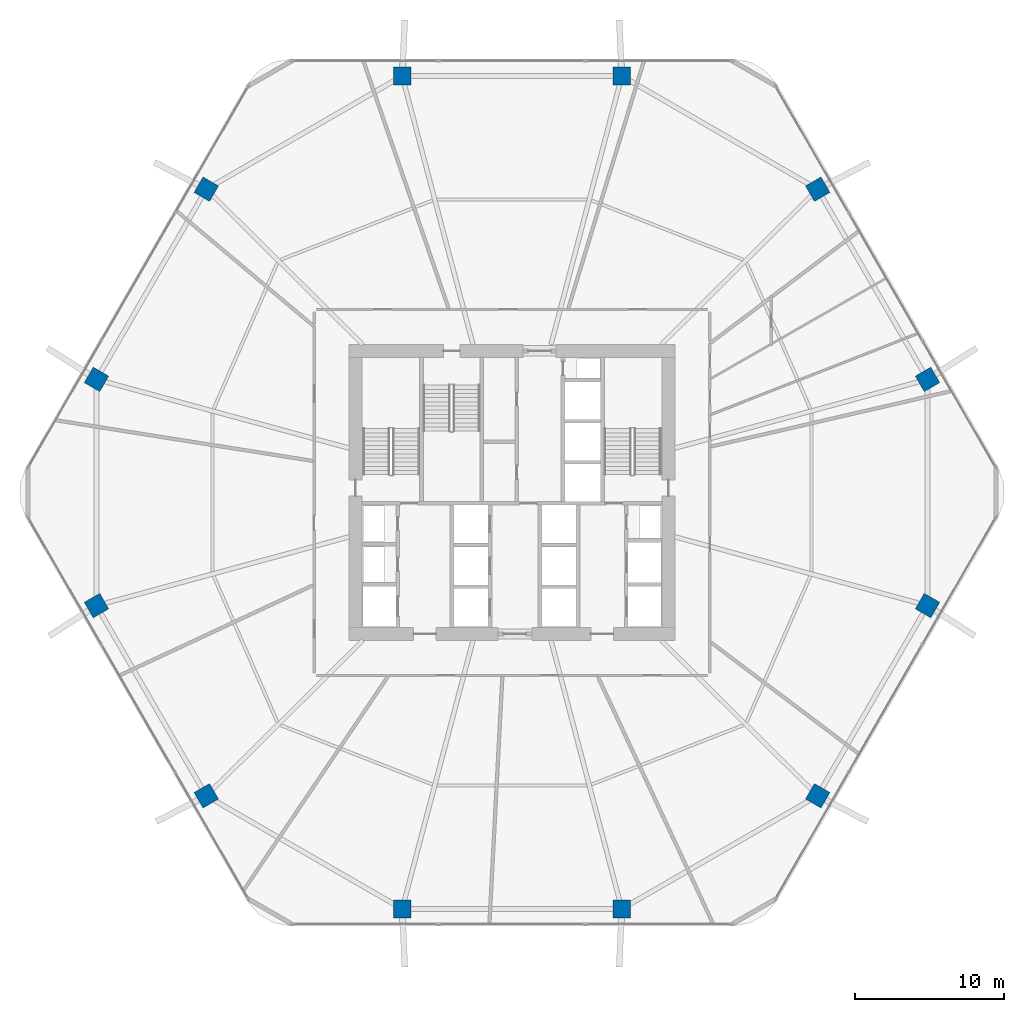
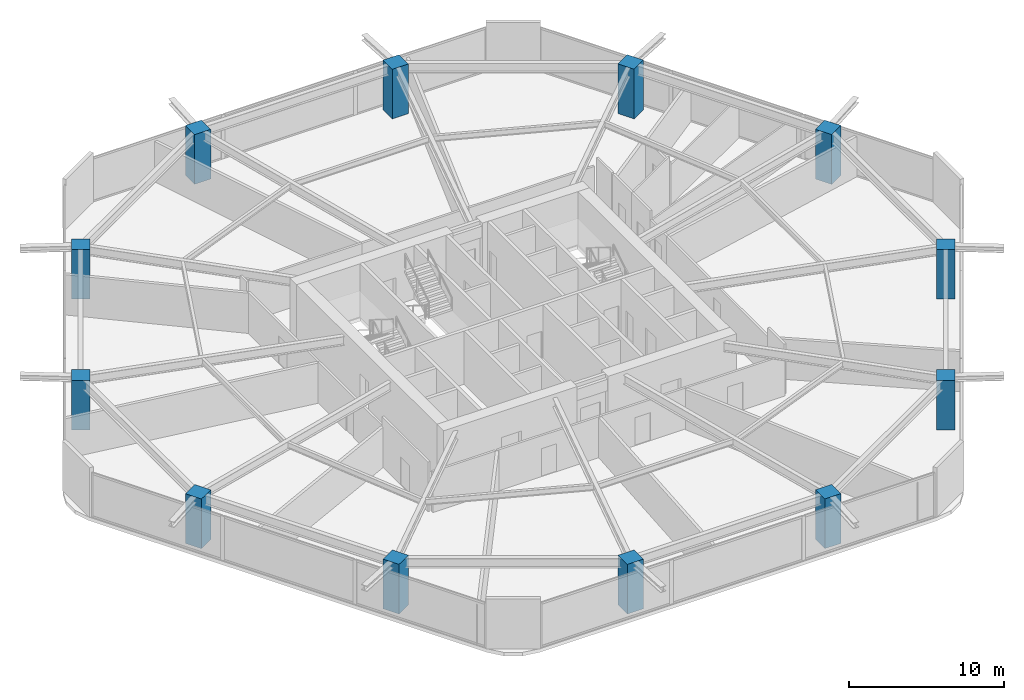
# One storey, part 1 of 25: 12 columns.
"""IFC4 building model written with IfcOpenShell, lengths in metres."""

from ifc_helpers import new_model, si_unit, direction, frame, origin, origin_2d, place, context, subcontext, project, spatial, rectangle, extrude, material, material_profile, profile_set, type_object, element, save


model = new_model("IFC4")

# Units and contexts
model_context = context("Model", 3, precision=1e-05, world=origin(), true_north=direction((0.0, 1.0)))
body_context = subcontext(model_context, "Body", "Model", "MODEL_VIEW")
ifc_project = project(units=[si_unit("LENGTHUNIT", "METRE"), si_unit("AREAUNIT", "SQUARE_METRE"), si_unit("VOLUMEUNIT", "CUBIC_METRE"), si_unit("PLANEANGLEUNIT", "RADIAN"), si_unit("MASSUNIT", "GRAM", prefix="KILO")], contexts=[model_context])

# Site, building, storey
site_placement = place(None, origin())
site = spatial("IfcSite", under=ifc_project, at=site_placement, CompositionType="ELEMENT")
building_placement = place(site_placement, origin())
building = spatial("IfcBuilding", under=site, at=building_placement, Name="Zuhravey Tower", CompositionType="ELEMENT")
storey_placement = place(building_placement, frame((0.0, 0.0, 45.60009765625)))
storey = spatial("IfcBuildingStorey", under=building, at=storey_placement, Name="L11", CompositionType="ELEMENT", Elevation=45.60009765625)

# Columns
ifc_material = material(Name="Concrete C60/75", Category="concrete")
ifc_material_profile = material_profile(ifc_material, rectangle(XDim=1.199951171875, YDim=1.199951171875, at=origin_2d()), Name="RC-1200x1200")
ifc_profile_set = profile_set([ifc_material_profile], Name="Concrete C60/75")
column_type = type_object("IfcColumnType", Name="Zone 1 Perimeter Column 1200x1200", PredefinedType="COLUMN", material=ifc_profile_set)
for number, where, z_axis, x_axis, name in (
    (1, (63.88916015625, 39.591552734375, 0.0), (0.0, 0.0, 1.0), (-0.5, 0.866025403784, 0.0), "L11 Perimeter Column PC01"),
    (2, (56.51904296875, 52.35693359375, 0.0), (0.0, 0.0, 1.0), (-0.5, 0.866025403784, 0.0), "L11 Perimeter Column PC02"),
    (3, (43.3701171875, 59.948486328125, 0.0), (0.0, 0.0, 1.0), (-1.0, 0.0, 0.0), "L11 Perimeter Column PC03"),
    (4, (28.6298828125, 59.948486328125, 0.0), (0.0, 0.0, 1.0), (-1.0, 0.0, 0.0), "L11 Perimeter Column PC04"),
    (5, (15.48095703125, 52.35693359375, 0.0), (0.0, 0.0, 1.0), (-0.5, -0.866025403784, 0.0), "L11 Perimeter Column PC05"),
    (6, (8.11083984375, 39.591552734375, 0.0), (0.0, 0.0, 1.0), (-0.5, -0.866025403784, 0.0), "L11 Perimeter Column PC06"),
    (7, (8.11083984375, 24.408447265625, 0.0), (0.0, 0.0, 1.0), (0.5, -0.866025403784, 0.0), "L11 Perimeter Column PC07"),
    (8, (15.48095703125, 11.64306640625, 0.0), (0.0, 0.0, 1.0), (0.5, -0.866025403784, 0.0), "L11 Perimeter Column PC08"),
    (9, (28.6298828125, 4.051513671875, 0.0), (0.0, 0.0, 1.0), (1.0, 0.0, 0.0), "L11 Perimeter Column PC09"),
    (10, (43.3701171875, 4.051513671875, 0.0), (0.0, 0.0, 1.0), (1.0, 0.0, 0.0), "L11 Perimeter Column PC10"),
    (11, (56.51904296875, 11.64306640625, 0.0), (0.0, 0.0, 1.0), (0.5, 0.866025403784, 0.0), "L11 Perimeter Column PC11"),
    (12, (63.88916015625, 24.408447265625, 0.0), (0.0, 0.0, 1.0), (0.5, 0.866025403784, 0.0), "L11 Perimeter Column PC12"),
):
    element("IfcColumn", number, at=place(storey_placement, frame(where, z_axis=z_axis, x_axis=x_axis)), inside=storey, type_object=column_type, Name=name, PredefinedType="COLUMN", context=body_context, shape_type="SweptSolid", body=[
        extrude(rectangle(XDim=1.199951171875, YDim=1.199951171875, at=origin_2d()), origin(), (0.0, 0.0, 1.0), 3.919921875),
    ])

save(model, "model.ifc")
